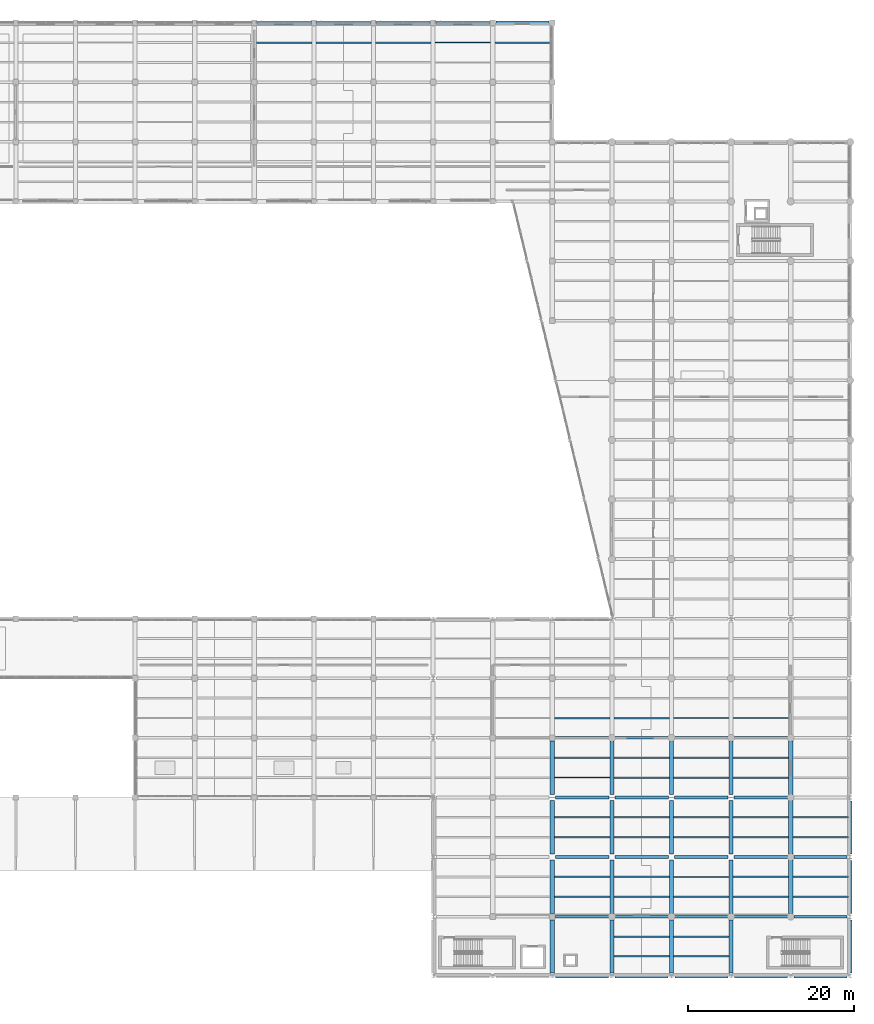
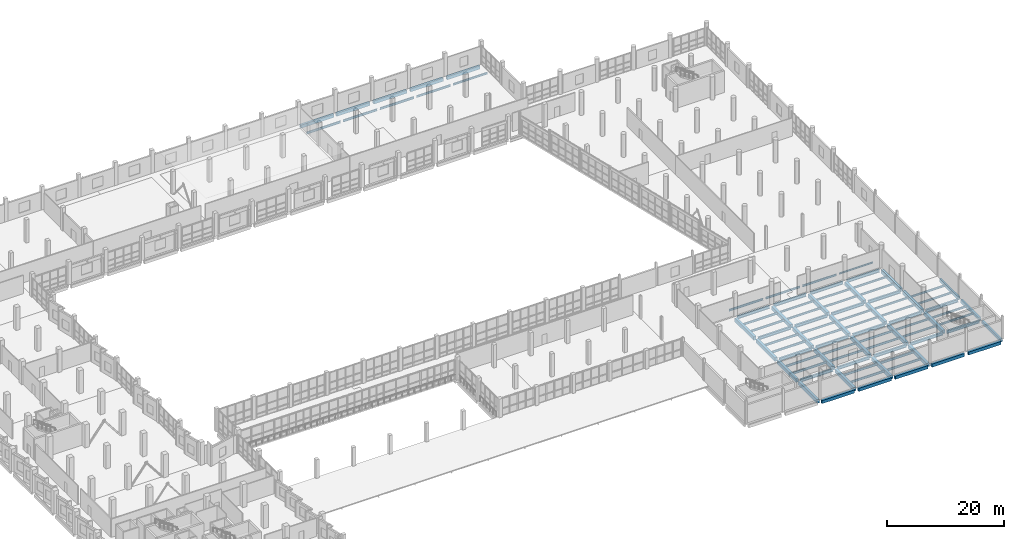
# One storey, part 60 of 127: 91 beams.
"""IFC4 building model written with IfcOpenShell, lengths in metres."""

from ifc_helpers import new_model, si_unit, direction, frame, origin, origin_2d, place, context, subcontext, project, spatial, rectangle, i_section, extrude, material, material_profile, profile_set, type_object, element, save


model = new_model("IFC4")

# Units and contexts
model_context = context("Model", 3, precision=1e-05, world=origin(), true_north=direction((0.0, 1.0)))
body_context = subcontext(model_context, "Body", "Model", "MODEL_VIEW")
ifc_project = project(units=[si_unit("LENGTHUNIT", "METRE"), si_unit("AREAUNIT", "SQUARE_METRE"), si_unit("VOLUMEUNIT", "CUBIC_METRE"), si_unit("PLANEANGLEUNIT", "RADIAN"), si_unit("MASSUNIT", "GRAM", prefix="KILO")], contexts=[model_context])

# Site, building, storey
site_placement = place(None, origin())
site = spatial("IfcSite", under=ifc_project, at=site_placement, CompositionType="ELEMENT")
building_placement = place(site_placement, origin())
building = spatial("IfcBuilding", under=site, at=building_placement, Name="Kalmorath City Hall", CompositionType="ELEMENT")
storey_placement = place(building_placement, frame((0.0, 0.0, 5.39990234375)))
storey = spatial("IfcBuildingStorey", under=building, at=storey_placement, Name="L01", CompositionType="ELEMENT", Elevation=5.39990234375)

# Beams
ifc_material_1 = material(Name="Concrete C40/50", Category="concrete")
ifc_material_profile_1 = material_profile(ifc_material_1, rectangle(XDim=0.39990234375, YDim=0.60009765625, at=origin_2d()), Name="RC-BM-400X600")
ifc_profile_set_1 = profile_set([ifc_material_profile_1], Name="Concrete C40/50")
beam_type_1 = type_object("IfcBeamType", Name="Concrete edge beam 400x600", PredefinedType="SPANDREL", material=ifc_profile_set_1)
beam_1_placement = place(storey_placement, frame((165.60009765625, 0.39990234375, -0.6240234375), z_axis=(0.0, 1.0, 0.0), x_axis=(-1.0, 0.0, 0.0)))
element("IfcBeam", 1, at=beam_1_placement, inside=storey, type_object=beam_type_1, Name="L01 girder CB6 Y24/1-2", PredefinedType="SPANDREL", context=body_context, shape_type="SweptSolid", body=[
    extrude(rectangle(XDim=0.39990234375, YDim=0.60009765625, at=origin_2d()), origin(), (0.0, 0.0, 1.0), 6.400146484375),
])
for number, where, z_axis, x_axis, name in (
    (2, (165.60009765625, 7.60009765625, -0.6240234375), (0.0, 1.0, 0.0), (-1.0, 0.0, 0.0), "L01 girder CB6 Y24/2-3"),
    (3, (165.60009765625, 14.800048828125, -0.6240234375), (0.0, 1.0, 0.0), (-1.0, 0.0, 0.0), "L01 girder CB6 Y24/3-4"),
):
    element("IfcBeam", number, at=place(storey_placement, frame(where, z_axis=z_axis, x_axis=x_axis)), inside=storey, type_object=beam_type_1, Name=name, PredefinedType="SPANDREL", context=body_context, shape_type="SweptSolid", body=[
        extrude(rectangle(XDim=0.39990234375, YDim=0.60009765625, at=origin_2d()), origin(), (0.0, 0.0, 1.0), 6.39990234375),
    ])
ifc_material_2 = material(Name="Concrete C40/50", Category="concrete")
ifc_material_profile_2 = material_profile(ifc_material_2, rectangle(XDim=0.5, YDim=0.75, at=origin_2d()), Name="RC-BM-500X750")
ifc_profile_set_2 = profile_set([ifc_material_profile_2], Name="Concrete C40/50")
beam_type_2 = type_object("IfcBeamType", Name="Concrete floor beam 500x750", PredefinedType="BEAM", material=ifc_profile_set_2)
beam_2_placement = place(storey_placement, frame((129.60009765625, 0.39990234375, -0.698974609375), z_axis=(0.0, 1.0, 0.0), x_axis=(-1.0, 0.0, 0.0)))
element("IfcBeam", 4, at=beam_2_placement, inside=storey, type_object=beam_type_2, Name="L01 girder CB3 Y19/1-2", PredefinedType="BEAM", context=body_context, shape_type="SweptSolid", body=[
    extrude(rectangle(XDim=0.5, YDim=0.75, at=origin_2d()), origin(), (0.0, 0.0, 1.0), 6.425048828125),
])
beam_3_placement = place(storey_placement, frame((129.60009765625, 7.574951171875, -0.698974609375), z_axis=(0.0, 1.0, 0.0), x_axis=(-1.0, 0.0, 0.0)))
element("IfcBeam", 5, at=beam_3_placement, inside=storey, type_object=beam_type_2, Name="L01 girder CB3 Y19/2-3", PredefinedType="BEAM", context=body_context, shape_type="SweptSolid", body=[
    extrude(rectangle(XDim=0.5, YDim=0.75, at=origin_2d()), origin(), (0.0, 0.0, 1.0), 6.449951171875),
])
beam_4_placement = place(storey_placement, frame((129.60009765625, 14.77490234375, -0.698974609375), z_axis=(0.0, 1.0, 0.0), x_axis=(-1.0, 0.0, 0.0)))
element("IfcBeam", 6, at=beam_4_placement, inside=storey, type_object=beam_type_2, Name="L01 girder CB3 Y19/3-4", PredefinedType="BEAM", context=body_context, shape_type="SweptSolid", body=[
    extrude(rectangle(XDim=0.5, YDim=0.75, at=origin_2d()), origin(), (0.0, 0.0, 1.0), 6.4501953125),
])
beam_5_placement = place(storey_placement, frame((129.60009765625, 21.97509765625, -0.698974609375), z_axis=(0.0, 1.0, 0.0), x_axis=(-1.0, 0.0, 0.0)))
element("IfcBeam", 7, at=beam_5_placement, inside=storey, type_object=beam_type_2, Name="L01 girder CB3 Y19/4-5", PredefinedType="BEAM", context=body_context, shape_type="SweptSolid", body=[
    extrude(rectangle(XDim=0.5, YDim=0.75, at=origin_2d()), origin(), (0.0, 0.0, 1.0), 6.449951171875),
])
beam_6_placement = place(storey_placement, frame((136.800048828125, 0.39990234375, -0.698974609375), z_axis=(0.0, 1.0, 0.0), x_axis=(-1.0, 0.0, 0.0)))
element("IfcBeam", 8, at=beam_6_placement, inside=storey, type_object=beam_type_2, Name="L01 girder CB3 Y20/1-2", PredefinedType="BEAM", context=body_context, shape_type="SweptSolid", body=[
    extrude(rectangle(XDim=0.5, YDim=0.75, at=origin_2d()), origin(), (0.0, 0.0, 1.0), 6.425048828125),
])
beam_7_placement = place(storey_placement, frame((136.800048828125, 7.574951171875, -0.698974609375), z_axis=(0.0, 1.0, 0.0), x_axis=(-1.0, 0.0, 0.0)))
element("IfcBeam", 9, at=beam_7_placement, inside=storey, type_object=beam_type_2, Name="L01 girder CB3 Y20/2-3", PredefinedType="BEAM", context=body_context, shape_type="SweptSolid", body=[
    extrude(rectangle(XDim=0.5, YDim=0.75, at=origin_2d()), origin(), (0.0, 0.0, 1.0), 6.449951171875),
])
beam_8_placement = place(storey_placement, frame((136.800048828125, 14.77490234375, -0.698974609375), z_axis=(0.0, 1.0, 0.0), x_axis=(-1.0, 0.0, 0.0)))
element("IfcBeam", 10, at=beam_8_placement, inside=storey, type_object=beam_type_2, Name="L01 girder CB3 Y20/3-4", PredefinedType="BEAM", context=body_context, shape_type="SweptSolid", body=[
    extrude(rectangle(XDim=0.5, YDim=0.75, at=origin_2d()), origin(), (0.0, 0.0, 1.0), 6.4501953125),
])
beam_9_placement = place(storey_placement, frame((136.800048828125, 21.97509765625, -0.698974609375), z_axis=(0.0, 1.0, 0.0), x_axis=(-1.0, 0.0, 0.0)))
element("IfcBeam", 11, at=beam_9_placement, inside=storey, type_object=beam_type_2, Name="L01 girder CB3 Y20/4-5", PredefinedType="BEAM", context=body_context, shape_type="SweptSolid", body=[
    extrude(rectangle(XDim=0.5, YDim=0.75, at=origin_2d()), origin(), (0.0, 0.0, 1.0), 6.449951171875),
])
beam_10_placement = place(storey_placement, frame((144.0, 0.39990234375, -0.698974609375), z_axis=(0.0, 1.0, 0.0), x_axis=(-1.0, 0.0, 0.0)))
element("IfcBeam", 12, at=beam_10_placement, inside=storey, type_object=beam_type_2, Name="L01 girder CB3 Y21/1-2", PredefinedType="BEAM", context=body_context, shape_type="SweptSolid", body=[
    extrude(rectangle(XDim=0.5, YDim=0.75, at=origin_2d()), origin(), (0.0, 0.0, 1.0), 6.425048828125),
])
beam_11_placement = place(storey_placement, frame((144.0, 7.574951171875, -0.698974609375), z_axis=(0.0, 1.0, 0.0), x_axis=(-1.0, 0.0, 0.0)))
element("IfcBeam", 13, at=beam_11_placement, inside=storey, type_object=beam_type_2, Name="L01 girder CB3 Y21/2-3", PredefinedType="BEAM", context=body_context, shape_type="SweptSolid", body=[
    extrude(rectangle(XDim=0.5, YDim=0.75, at=origin_2d()), origin(), (0.0, 0.0, 1.0), 6.449951171875),
])
beam_12_placement = place(storey_placement, frame((144.0, 14.77490234375, -0.698974609375), z_axis=(0.0, 1.0, 0.0), x_axis=(-1.0, 0.0, 0.0)))
element("IfcBeam", 14, at=beam_12_placement, inside=storey, type_object=beam_type_2, Name="L01 girder CB3 Y21/3-4", PredefinedType="BEAM", context=body_context, shape_type="SweptSolid", body=[
    extrude(rectangle(XDim=0.5, YDim=0.75, at=origin_2d()), origin(), (0.0, 0.0, 1.0), 6.4501953125),
])
beam_13_placement = place(storey_placement, frame((144.0, 21.97509765625, -0.698974609375), z_axis=(0.0, 1.0, 0.0), x_axis=(-1.0, 0.0, 0.0)))
element("IfcBeam", 15, at=beam_13_placement, inside=storey, type_object=beam_type_2, Name="L01 girder CB3 Y21/4-5", PredefinedType="BEAM", context=body_context, shape_type="SweptSolid", body=[
    extrude(rectangle(XDim=0.5, YDim=0.75, at=origin_2d()), origin(), (0.0, 0.0, 1.0), 6.449951171875),
])
beam_14_placement = place(storey_placement, frame((151.199951171875, 0.39990234375, -0.698974609375), z_axis=(0.0, 1.0, 0.0), x_axis=(-1.0, 0.0, 0.0)))
element("IfcBeam", 16, at=beam_14_placement, inside=storey, type_object=beam_type_2, Name="L01 girder CB3 Y22/1-2", PredefinedType="BEAM", context=body_context, shape_type="SweptSolid", body=[
    extrude(rectangle(XDim=0.5, YDim=0.75, at=origin_2d()), origin(), (0.0, 0.0, 1.0), 6.425048828125),
])
beam_15_placement = place(storey_placement, frame((151.199951171875, 7.574951171875, -0.698974609375), z_axis=(0.0, 1.0, 0.0), x_axis=(-1.0, 0.0, 0.0)))
element("IfcBeam", 17, at=beam_15_placement, inside=storey, type_object=beam_type_2, Name="L01 girder CB3 Y22/2-3", PredefinedType="BEAM", context=body_context, shape_type="SweptSolid", body=[
    extrude(rectangle(XDim=0.5, YDim=0.75, at=origin_2d()), origin(), (0.0, 0.0, 1.0), 6.449951171875),
])
beam_16_placement = place(storey_placement, frame((151.199951171875, 14.77490234375, -0.698974609375), z_axis=(0.0, 1.0, 0.0), x_axis=(-1.0, 0.0, 0.0)))
element("IfcBeam", 18, at=beam_16_placement, inside=storey, type_object=beam_type_2, Name="L01 girder CB3 Y22/3-4", PredefinedType="BEAM", context=body_context, shape_type="SweptSolid", body=[
    extrude(rectangle(XDim=0.5, YDim=0.75, at=origin_2d()), origin(), (0.0, 0.0, 1.0), 6.4501953125),
])
for number, where, z_axis, x_axis, name in (
    (19, (151.199951171875, 21.97509765625, -0.698974609375), (0.0, 1.0, 0.0), (-1.0, 0.0, 0.0), "L01 girder CB3 Y22/4-5"),
    (20, (158.39990234375, 7.574951171875, -0.698974609375), (0.0, 1.0, 0.0), (-1.0, 0.0, 0.0), "L01 girder CB3 Y23/2-3"),
):
    element("IfcBeam", number, at=place(storey_placement, frame(where, z_axis=z_axis, x_axis=x_axis)), inside=storey, type_object=beam_type_2, Name=name, PredefinedType="BEAM", context=body_context, shape_type="SweptSolid", body=[
        extrude(rectangle(XDim=0.5, YDim=0.75, at=origin_2d()), origin(), (0.0, 0.0, 1.0), 6.449951171875),
    ])
beam_17_placement = place(storey_placement, frame((158.39990234375, 14.77490234375, -0.698974609375), z_axis=(0.0, 1.0, 0.0), x_axis=(-1.0, 0.0, 0.0)))
element("IfcBeam", 21, at=beam_17_placement, inside=storey, type_object=beam_type_2, Name="L01 girder CB3 Y23/3-4", PredefinedType="BEAM", context=body_context, shape_type="SweptSolid", body=[
    extrude(rectangle(XDim=0.5, YDim=0.75, at=origin_2d()), origin(), (0.0, 0.0, 1.0), 6.4501953125),
])
beam_18_placement = place(storey_placement, frame((158.39990234375, 21.97509765625, -0.698974609375), z_axis=(0.0, 1.0, 0.0), x_axis=(-1.0, 0.0, 0.0)))
element("IfcBeam", 22, at=beam_18_placement, inside=storey, type_object=beam_type_2, Name="L01 girder CB3 Y23/4-5", PredefinedType="BEAM", context=body_context, shape_type="SweptSolid", body=[
    extrude(rectangle(XDim=0.5, YDim=0.75, at=origin_2d()), origin(), (0.0, 0.0, 1.0), 6.449951171875),
])
ifc_material_3 = material(Name="Concrete C40/50", Category="concrete")
ifc_material_profile_3 = material_profile(ifc_material_3, rectangle(XDim=0.449951171875, YDim=0.64990234375, at=origin_2d()), Name="RC-BM-450X650")
ifc_profile_set_3 = profile_set([ifc_material_profile_3], Name="Concrete C40/50")
beam_type_3 = type_object("IfcBeamType", Name="Concrete spandrel beam 450x650", PredefinedType="SPANDREL", material=ifc_profile_set_3)
beam_19_placement = place(storey_placement, frame((130.0, 0.0, -0.64892578125), z_axis=(1.0, 0.0, 0.0), x_axis=(0.0, 1.0, 0.0)))
element("IfcBeam", 23, at=beam_19_placement, inside=storey, type_object=beam_type_3, Name="L01 girder CB5 X19-20/1", PredefinedType="SPANDREL", context=body_context, shape_type="SweptSolid", body=[
    extrude(rectangle(XDim=0.449951171875, YDim=0.64990234375, at=origin_2d()), origin(), (0.0, 0.0, 1.0), 6.39990234375),
])
for number, where, z_axis, x_axis, name in (
    (24, (137.199951171875, 0.0, -0.64892578125), (1.0, 0.0, 0.0), (0.0, 1.0, 0.0), "L01 girder CB5 X20-21/1"),
    (25, (144.39990234375, 0.0, -0.64892578125), (1.0, 0.0, 0.0), (0.0, 1.0, 0.0), "L01 girder CB5 X21-22/1"),
):
    element("IfcBeam", number, at=place(storey_placement, frame(where, z_axis=z_axis, x_axis=x_axis)), inside=storey, type_object=beam_type_3, Name=name, PredefinedType="SPANDREL", context=body_context, shape_type="SweptSolid", body=[
        extrude(rectangle(XDim=0.449951171875, YDim=0.64990234375, at=origin_2d()), origin(), (0.0, 0.0, 1.0), 6.400146484375),
    ])
for number, where, z_axis, x_axis, name in (
    (26, (151.60009765625, 0.0, -0.64892578125), (1.0, 0.0, 0.0), (0.0, 1.0, 0.0), "L01 girder CB5 X22-23/1"),
    (27, (158.800048828125, 0.0, -0.64892578125), (1.0, 0.0, 0.0), (0.0, 1.0, 0.0), "L01 girder CB5 X23-24/1"),
):
    element("IfcBeam", number, at=place(storey_placement, frame(where, z_axis=z_axis, x_axis=x_axis)), inside=storey, type_object=beam_type_3, Name=name, PredefinedType="SPANDREL", context=body_context, shape_type="SweptSolid", body=[
        extrude(rectangle(XDim=0.449951171875, YDim=0.64990234375, at=origin_2d()), origin(), (0.0, 0.0, 1.0), 6.39990234375),
    ])
for number, where, z_axis, x_axis, name in (
    (28, (93.97509765625, 115.199951171875, -0.64892578125), (1.0, 0.0, 0.0), (0.0, 1.0, 0.0), "L01 girder CB5 X14-15/17"),
    (29, (101.050048828125, 115.199951171875, -0.64892578125), (1.0, 0.0, 0.0), (0.0, 1.0, 0.0), "L01 girder CB5 X15-16/17"),
):
    element("IfcBeam", number, at=place(storey_placement, frame(where, z_axis=z_axis, x_axis=x_axis)), inside=storey, type_object=beam_type_3, Name=name, PredefinedType="SPANDREL", context=body_context, shape_type="SweptSolid", body=[
        extrude(rectangle(XDim=0.449951171875, YDim=0.64990234375, at=origin_2d()), origin(), (0.0, 0.0, 1.0), 6.574951171875),
    ])
for number, where, z_axis, x_axis, name in (
    (30, (108.375, 115.199951171875, -0.64892578125), (1.0, 0.0, 0.0), (0.0, 1.0, 0.0), "L01 girder CB5 X16-17/17"),
    (31, (115.574951171875, 115.199951171875, -0.64892578125), (1.0, 0.0, 0.0), (0.0, 1.0, 0.0), "L01 girder CB5 X17-18/17"),
):
    element("IfcBeam", number, at=place(storey_placement, frame(where, z_axis=z_axis, x_axis=x_axis)), inside=storey, type_object=beam_type_3, Name=name, PredefinedType="SPANDREL", context=body_context, shape_type="SweptSolid", body=[
        extrude(rectangle(XDim=0.449951171875, YDim=0.64990234375, at=origin_2d()), origin(), (0.0, 0.0, 1.0), 6.449951171875),
    ])
beam_20_placement = place(storey_placement, frame((122.77490234375, 115.199951171875, -0.64892578125), z_axis=(1.0, 0.0, 0.0), x_axis=(0.0, 1.0, 0.0)))
element("IfcBeam", 32, at=beam_20_placement, inside=storey, type_object=beam_type_3, Name="L01 girder CB5 X18-19/17", PredefinedType="SPANDREL", context=body_context, shape_type="SweptSolid", body=[
    extrude(rectangle(XDim=0.449951171875, YDim=0.64990234375, at=origin_2d()), origin(), (0.0, 0.0, 1.0), 6.4501953125),
])
ifc_material_4 = material(Name="Steel ASTM A992 Grade 50", Category="steel")
ifc_material_profile_4 = material_profile(ifc_material_4, i_section(OverallWidth=0.177001953125, OverallDepth=0.403076171875, WebThickness=0.007568359375, FlangeThickness=0.010986328125, FilletRadius=0.012939453125, at=origin_2d()), Name="W16X36")
ifc_profile_set_4 = profile_set([ifc_material_profile_4], Name="Steel ASTM A992 Grade 50")
beam_type_4 = type_object("IfcBeamType", Name="Steel composite joist W16X36", PredefinedType="JOIST", material=ifc_profile_set_4)
for number, where, z_axis, x_axis, name in (
    (33, (144.25, 31.199951171875, -0.525390625), (1.0, 0.0, 0.0), (0.0, 1.0, 0.0), "L01 joist SJ7 21.5.1"),
    (34, (151.449951171875, 24.0, -0.525390625), (1.0, 0.0, 0.0), (0.0, 1.0, 0.0), "L01 joist SJ7 22.4.1"),
    (35, (151.449951171875, 26.39990234375, -0.525390625), (1.0, 0.0, 0.0), (0.0, 1.0, 0.0), "L01 joist SJ7 22.4.2"),
):
    element("IfcBeam", number, at=place(storey_placement, frame(where, z_axis=z_axis, x_axis=x_axis)), inside=storey, type_object=beam_type_4, Name=name, PredefinedType="JOIST", context=body_context, shape_type="SweptSolid", body=[
        extrude(i_section(OverallWidth=0.177001953125, OverallDepth=0.403076171875, WebThickness=0.007568359375, FlangeThickness=0.010986328125, FilletRadius=0.012939453125, at=origin_2d()), origin(), (0.0, 0.0, 1.0), 6.699951171875),
    ])
for number, where, z_axis, x_axis, name in (
    (36, (158.64990234375, 16.800048828125, -0.525390625), (1.0, 0.0, 0.0), (0.0, 1.0, 0.0), "L01 joist SJ7 23.3.1"),
    (37, (158.64990234375, 19.199951171875, -0.525390625), (1.0, 0.0, 0.0), (0.0, 1.0, 0.0), "L01 joist SJ7 23.3.2"),
):
    element("IfcBeam", number, at=place(storey_placement, frame(where, z_axis=z_axis, x_axis=x_axis)), inside=storey, type_object=beam_type_4, Name=name, PredefinedType="JOIST", context=body_context, shape_type="SweptSolid", body=[
        extrude(i_section(OverallWidth=0.177001953125, OverallDepth=0.403076171875, WebThickness=0.007568359375, FlangeThickness=0.010986328125, FilletRadius=0.012939453125, at=origin_2d()), origin(), (0.0, 0.0, 1.0), 6.75),
    ])
ifc_material_5 = material(Name="Steel ASTM A992 Grade 50", Category="steel")
ifc_material_profile_5 = material_profile(ifc_material_5, i_section(OverallWidth=0.178955078125, OverallDepth=0.409912109375, WebThickness=0.0087890625, FlangeThickness=0.014404296875, FilletRadius=0.012939453125, at=origin_2d()), Name="W16X45")
ifc_profile_set_5 = profile_set([ifc_material_profile_5], Name="Steel ASTM A992 Grade 50")
beam_type_5 = type_object("IfcBeamType", Name="Steel composite joist W16X45", PredefinedType="JOIST", material=ifc_profile_set_5)
for number, where, z_axis, x_axis, name in (
    (38, (137.050048828125, 31.199951171875, -0.52880859375), (1.0, 0.0, 0.0), (0.0, 1.0, 0.0), "L01 joist SJ6 20.5.1"),
    (39, (144.25, 24.0, -0.52880859375), (1.0, 0.0, 0.0), (0.0, 1.0, 0.0), "L01 joist SJ6 21.4.1"),
    (40, (144.25, 26.39990234375, -0.52880859375), (1.0, 0.0, 0.0), (0.0, 1.0, 0.0), "L01 joist SJ6 21.4.2"),
    (41, (151.449951171875, 16.800048828125, -0.52880859375), (1.0, 0.0, 0.0), (0.0, 1.0, 0.0), "L01 joist SJ6 22.3.1"),
    (42, (151.449951171875, 19.199951171875, -0.52880859375), (1.0, 0.0, 0.0), (0.0, 1.0, 0.0), "L01 joist SJ6 22.3.2"),
):
    element("IfcBeam", number, at=place(storey_placement, frame(where, z_axis=z_axis, x_axis=x_axis)), inside=storey, type_object=beam_type_5, Name=name, PredefinedType="JOIST", context=body_context, shape_type="SweptSolid", body=[
        extrude(i_section(OverallWidth=0.178955078125, OverallDepth=0.409912109375, WebThickness=0.0087890625, FlangeThickness=0.014404296875, FilletRadius=0.012939453125, at=origin_2d()), origin(), (0.0, 0.0, 1.0), 6.699951171875),
    ])
for number, where, z_axis, x_axis, name in (
    (43, (158.64990234375, 9.60009765625, -0.52880859375), (1.0, 0.0, 0.0), (0.0, 1.0, 0.0), "L01 joist SJ6 23.2.1"),
    (44, (158.64990234375, 12.0, -0.52880859375), (1.0, 0.0, 0.0), (0.0, 1.0, 0.0), "L01 joist SJ6 23.2.2"),
):
    element("IfcBeam", number, at=place(storey_placement, frame(where, z_axis=z_axis, x_axis=x_axis)), inside=storey, type_object=beam_type_5, Name=name, PredefinedType="JOIST", context=body_context, shape_type="SweptSolid", body=[
        extrude(i_section(OverallWidth=0.178955078125, OverallDepth=0.409912109375, WebThickness=0.0087890625, FlangeThickness=0.014404296875, FilletRadius=0.012939453125, at=origin_2d()), origin(), (0.0, 0.0, 1.0), 6.75),
    ])
ifc_material_6 = material(Name="Steel ASTM A992 Grade 50", Category="steel")
ifc_material_profile_6 = material_profile(ifc_material_6, i_section(OverallWidth=0.180908203125, OverallDepth=0.4169921875, WebThickness=0.010986328125, FlangeThickness=0.018310546875, FilletRadius=0.012939453125, at=origin_2d()), Name="W16X57")
ifc_profile_set_6 = profile_set([ifc_material_profile_6], Name="Steel ASTM A992 Grade 50")
beam_type_6 = type_object("IfcBeamType", Name="Steel composite joist W16X57", PredefinedType="JOIST", material=ifc_profile_set_6)
beam_21_placement = place(storey_placement, frame((122.64990234375, 112.800048828125, -0.532470703125), z_axis=(1.0, 0.0, 0.0), x_axis=(0.0, 1.0, 0.0)))
element("IfcBeam", 45, at=beam_21_placement, inside=storey, type_object=beam_type_6, Name="L01 joist SJ5 18.16.2", PredefinedType="JOIST", context=body_context, shape_type="SweptSolid", body=[
    extrude(i_section(OverallWidth=0.180908203125, OverallDepth=0.4169921875, WebThickness=0.010986328125, FlangeThickness=0.018310546875, FilletRadius=0.012939453125, at=origin_2d()), origin(), (0.0, 0.0, 1.0), 6.75),
])
for number, where, z_axis, x_axis, name in (
    (46, (129.85009765625, 31.199951171875, -0.532470703125), (1.0, 0.0, 0.0), (0.0, 1.0, 0.0), "L01 joist SJ5 19.5.1"),
    (47, (137.050048828125, 24.0, -0.532470703125), (1.0, 0.0, 0.0), (0.0, 1.0, 0.0), "L01 joist SJ5 20.4.1"),
    (48, (137.050048828125, 26.39990234375, -0.532470703125), (1.0, 0.0, 0.0), (0.0, 1.0, 0.0), "L01 joist SJ5 20.4.2"),
    (49, (144.25, 16.800048828125, -0.532470703125), (1.0, 0.0, 0.0), (0.0, 1.0, 0.0), "L01 joist SJ5 21.3.1"),
    (50, (144.25, 19.199951171875, -0.532470703125), (1.0, 0.0, 0.0), (0.0, 1.0, 0.0), "L01 joist SJ5 21.3.2"),
    (51, (151.449951171875, 9.60009765625, -0.532470703125), (1.0, 0.0, 0.0), (0.0, 1.0, 0.0), "L01 joist SJ5 22.2.1"),
    (52, (151.449951171875, 12.0, -0.532470703125), (1.0, 0.0, 0.0), (0.0, 1.0, 0.0), "L01 joist SJ5 22.2.2"),
):
    element("IfcBeam", number, at=place(storey_placement, frame(where, z_axis=z_axis, x_axis=x_axis)), inside=storey, type_object=beam_type_6, Name=name, PredefinedType="JOIST", context=body_context, shape_type="SweptSolid", body=[
        extrude(i_section(OverallWidth=0.180908203125, OverallDepth=0.4169921875, WebThickness=0.010986328125, FlangeThickness=0.018310546875, FilletRadius=0.012939453125, at=origin_2d()), origin(), (0.0, 0.0, 1.0), 6.699951171875),
    ])
ifc_material_7 = material(Name="Steel ASTM A992 Grade 50", Category="steel")
ifc_material_profile_7 = material_profile(ifc_material_7, i_section(OverallWidth=0.153076171875, OverallDepth=0.455078125, WebThickness=0.008056640625, FlangeThickness=0.01318359375, FilletRadius=0.013916015625, at=origin_2d()), Name="W18X40")
ifc_profile_set_7 = profile_set([ifc_material_profile_7], Name="Steel ASTM A992 Grade 50")
beam_type_7 = type_object("IfcBeamType", Name="Steel composite joist W18X40", PredefinedType="JOIST", material=ifc_profile_set_7)
for number, where, z_axis, x_axis, name in (
    (53, (115.449951171875, 112.800048828125, -0.551513671875), (1.0, 0.0, 0.0), (0.0, 1.0, 0.0), "L01 joist SJ4 17.16.2"),
    (54, (129.85009765625, 24.0, -0.551513671875), (1.0, 0.0, 0.0), (0.0, 1.0, 0.0), "L01 joist SJ4 19.4.1"),
    (55, (129.85009765625, 26.39990234375, -0.551513671875), (1.0, 0.0, 0.0), (0.0, 1.0, 0.0), "L01 joist SJ4 19.4.2"),
    (56, (137.050048828125, 16.800048828125, -0.551513671875), (1.0, 0.0, 0.0), (0.0, 1.0, 0.0), "L01 joist SJ4 20.3.1"),
    (57, (137.050048828125, 19.199951171875, -0.551513671875), (1.0, 0.0, 0.0), (0.0, 1.0, 0.0), "L01 joist SJ4 20.3.2"),
    (58, (144.25, 9.60009765625, -0.551513671875), (1.0, 0.0, 0.0), (0.0, 1.0, 0.0), "L01 joist SJ4 21.2.1"),
    (59, (144.25, 12.0, -0.551513671875), (1.0, 0.0, 0.0), (0.0, 1.0, 0.0), "L01 joist SJ4 21.2.2"),
):
    element("IfcBeam", number, at=place(storey_placement, frame(where, z_axis=z_axis, x_axis=x_axis)), inside=storey, type_object=beam_type_7, Name=name, PredefinedType="JOIST", context=body_context, shape_type="SweptSolid", body=[
        extrude(i_section(OverallWidth=0.153076171875, OverallDepth=0.455078125, WebThickness=0.008056640625, FlangeThickness=0.01318359375, FilletRadius=0.013916015625, at=origin_2d()), origin(), (0.0, 0.0, 1.0), 6.699951171875),
    ])
ifc_material_8 = material(Name="Steel ASTM A992 Grade 50", Category="steel")
ifc_material_profile_8 = material_profile(ifc_material_8, i_section(OverallWidth=0.19091796875, OverallDepth=0.45703125, WebThickness=0.009033203125, FlangeThickness=0.014404296875, FilletRadius=0.013916015625, at=origin_2d()), Name="W18X50")
ifc_profile_set_8 = profile_set([ifc_material_profile_8], Name="Steel ASTM A992 Grade 50")
beam_type_8 = type_object("IfcBeamType", Name="Steel composite joist W18X50", PredefinedType="JOIST", material=ifc_profile_set_8)
for number, where, z_axis, x_axis, name in (
    (60, (108.25, 112.800048828125, -0.552490234375), (1.0, 0.0, 0.0), (0.0, 1.0, 0.0), "L01 joist SJ3 16.16.2"),
    (61, (129.85009765625, 16.800048828125, -0.552490234375), (1.0, 0.0, 0.0), (0.0, 1.0, 0.0), "L01 joist SJ3 19.3.1"),
    (62, (129.85009765625, 19.199951171875, -0.552490234375), (1.0, 0.0, 0.0), (0.0, 1.0, 0.0), "L01 joist SJ3 19.3.2"),
    (63, (137.050048828125, 9.60009765625, -0.552490234375), (1.0, 0.0, 0.0), (0.0, 1.0, 0.0), "L01 joist SJ3 20.2.1"),
    (64, (137.050048828125, 12.0, -0.552490234375), (1.0, 0.0, 0.0), (0.0, 1.0, 0.0), "L01 joist SJ3 20.2.2"),
    (65, (144.25, 2.39990234375, -0.552490234375), (1.0, 0.0, 0.0), (0.0, 1.0, 0.0), "L01 joist SJ3 21.1.1"),
    (66, (144.25, 4.800048828125, -0.552490234375), (1.0, 0.0, 0.0), (0.0, 1.0, 0.0), "L01 joist SJ3 21.1.2"),
):
    element("IfcBeam", number, at=place(storey_placement, frame(where, z_axis=z_axis, x_axis=x_axis)), inside=storey, type_object=beam_type_8, Name=name, PredefinedType="JOIST", context=body_context, shape_type="SweptSolid", body=[
        extrude(i_section(OverallWidth=0.19091796875, OverallDepth=0.45703125, WebThickness=0.009033203125, FlangeThickness=0.014404296875, FilletRadius=0.013916015625, at=origin_2d()), origin(), (0.0, 0.0, 1.0), 6.699951171875),
    ])
ifc_material_9 = material(Name="Steel ASTM A992 Grade 50", Category="steel")
ifc_material_profile_9 = material_profile(ifc_material_9, i_section(OverallWidth=0.19091796875, OverallDepth=0.4599609375, WebThickness=0.010009765625, FlangeThickness=0.01611328125, FilletRadius=0.013916015625, at=origin_2d()), Name="W18X55")
ifc_profile_set_9 = profile_set([ifc_material_profile_9], Name="Steel ASTM A992 Grade 50")
beam_type_9 = type_object("IfcBeamType", Name="Steel composite joist W18X55", PredefinedType="JOIST", material=ifc_profile_set_9)
for number, where, z_axis, x_axis, name in (
    (67, (101.050048828125, 112.800048828125, -0.553955078125), (1.0, 0.0, 0.0), (0.0, 1.0, 0.0), "L01 joist SJ2 15.16.2"),
    (68, (129.85009765625, 9.60009765625, -0.553955078125), (1.0, 0.0, 0.0), (0.0, 1.0, 0.0), "L01 joist SJ2 19.2.1"),
    (69, (129.85009765625, 12.0, -0.553955078125), (1.0, 0.0, 0.0), (0.0, 1.0, 0.0), "L01 joist SJ2 19.2.2"),
    (70, (137.050048828125, 2.39990234375, -0.553955078125), (1.0, 0.0, 0.0), (0.0, 1.0, 0.0), "L01 joist SJ2 20.1.1"),
    (71, (137.050048828125, 4.800048828125, -0.553955078125), (1.0, 0.0, 0.0), (0.0, 1.0, 0.0), "L01 joist SJ2 20.1.2"),
):
    element("IfcBeam", number, at=place(storey_placement, frame(where, z_axis=z_axis, x_axis=x_axis)), inside=storey, type_object=beam_type_9, Name=name, PredefinedType="JOIST", context=body_context, shape_type="SweptSolid", body=[
        extrude(i_section(OverallWidth=0.19091796875, OverallDepth=0.4599609375, WebThickness=0.010009765625, FlangeThickness=0.01611328125, FilletRadius=0.013916015625, at=origin_2d()), origin(), (0.0, 0.0, 1.0), 6.699951171875),
    ])
ifc_material_10 = material(Name="Steel ASTM A992 Grade 50", Category="steel")
ifc_material_profile_10 = material_profile(ifc_material_10, i_section(OverallWidth=0.193115234375, OverallDepth=0.466064453125, WebThickness=0.011474609375, FlangeThickness=0.01904296875, FilletRadius=0.013916015625, at=origin_2d()), Name="W18X65")
ifc_profile_set_10 = profile_set([ifc_material_profile_10], Name="Steel ASTM A992 Grade 50")
beam_type_10 = type_object("IfcBeamType", Name="Steel composite joist W18X65", PredefinedType="JOIST", material=ifc_profile_set_10)
beam_22_placement = place(storey_placement, frame((93.85009765625, 112.800048828125, -0.556884765625), z_axis=(1.0, 0.0, 0.0), x_axis=(0.0, 1.0, 0.0)))
element("IfcBeam", 72, at=beam_22_placement, inside=storey, type_object=beam_type_10, Name="L01 joist SJ1 14.16.2", PredefinedType="JOIST", context=body_context, shape_type="SweptSolid", body=[
    extrude(i_section(OverallWidth=0.193115234375, OverallDepth=0.466064453125, WebThickness=0.011474609375, FlangeThickness=0.01904296875, FilletRadius=0.013916015625, at=origin_2d()), origin(), (0.0, 0.0, 1.0), 6.699951171875),
])
ifc_material_11 = material(Name="Steel ASTM A992 Grade 50", Category="steel")
ifc_material_profile_11 = material_profile(ifc_material_11, i_section(OverallWidth=0.323974609375, OverallDepth=0.611083984375, WebThickness=0.0126953125, FlangeThickness=0.01904296875, FilletRadius=0.01611328125, at=origin_2d()), Name="W24X104")
ifc_profile_set_11 = profile_set([ifc_material_profile_11], Name="Steel ASTM A992 Grade 50")
beam_type_11 = type_object("IfcBeamType", Name="Steel floor girder W24X104", PredefinedType="BEAM", material=ifc_profile_set_11)
for number, where, z_axis, x_axis, name in (
    (73, (129.97509765625, 7.199951171875, -0.62939453125), (1.0, 0.0, 0.0), (0.0, 1.0, 0.0), "L01 girder SG7 X19-20/2"),
    (74, (137.175048828125, 7.199951171875, -0.62939453125), (1.0, 0.0, 0.0), (0.0, 1.0, 0.0), "L01 girder SG7 X20-21/2"),
    (75, (144.375, 7.199951171875, -0.62939453125), (1.0, 0.0, 0.0), (0.0, 1.0, 0.0), "L01 girder SG7 X21-22/2"),
    (76, (151.574951171875, 7.199951171875, -0.62939453125), (1.0, 0.0, 0.0), (0.0, 1.0, 0.0), "L01 girder SG7 X22-23/2"),
):
    element("IfcBeam", number, at=place(storey_placement, frame(where, z_axis=z_axis, x_axis=x_axis)), inside=storey, type_object=beam_type_11, Name=name, PredefinedType="BEAM", context=body_context, shape_type="SweptSolid", body=[
        extrude(i_section(OverallWidth=0.323974609375, OverallDepth=0.611083984375, WebThickness=0.0126953125, FlangeThickness=0.01904296875, FilletRadius=0.01611328125, at=origin_2d()), origin(), (0.0, 0.0, 1.0), 6.449951171875),
    ])
beam_23_placement = place(storey_placement, frame((158.77490234375, 7.199951171875, -0.62939453125), z_axis=(1.0, 0.0, 0.0), x_axis=(0.0, 1.0, 0.0)))
element("IfcBeam", 77, at=beam_23_placement, inside=storey, type_object=beam_type_11, Name="L01 girder SG7 X23-24/2", PredefinedType="BEAM", context=body_context, shape_type="SweptSolid", body=[
    extrude(i_section(OverallWidth=0.323974609375, OverallDepth=0.611083984375, WebThickness=0.0126953125, FlangeThickness=0.01904296875, FilletRadius=0.01611328125, at=origin_2d()), origin(), (0.0, 0.0, 1.0), 6.425048828125),
])
for number, where, z_axis, x_axis, name in (
    (78, (129.97509765625, 14.39990234375, -0.62939453125), (1.0, 0.0, 0.0), (0.0, 1.0, 0.0), "L01 girder SG7 X19-20/3"),
    (79, (137.175048828125, 14.39990234375, -0.62939453125), (1.0, 0.0, 0.0), (0.0, 1.0, 0.0), "L01 girder SG7 X20-21/3"),
    (80, (144.375, 14.39990234375, -0.62939453125), (1.0, 0.0, 0.0), (0.0, 1.0, 0.0), "L01 girder SG7 X21-22/3"),
    (81, (151.574951171875, 14.39990234375, -0.62939453125), (1.0, 0.0, 0.0), (0.0, 1.0, 0.0), "L01 girder SG7 X22-23/3"),
):
    element("IfcBeam", number, at=place(storey_placement, frame(where, z_axis=z_axis, x_axis=x_axis)), inside=storey, type_object=beam_type_11, Name=name, PredefinedType="BEAM", context=body_context, shape_type="SweptSolid", body=[
        extrude(i_section(OverallWidth=0.323974609375, OverallDepth=0.611083984375, WebThickness=0.0126953125, FlangeThickness=0.01904296875, FilletRadius=0.01611328125, at=origin_2d()), origin(), (0.0, 0.0, 1.0), 6.449951171875),
    ])
beam_24_placement = place(storey_placement, frame((158.77490234375, 14.39990234375, -0.62939453125), z_axis=(1.0, 0.0, 0.0), x_axis=(0.0, 1.0, 0.0)))
element("IfcBeam", 82, at=beam_24_placement, inside=storey, type_object=beam_type_11, Name="L01 girder SG7 X23-24/3", PredefinedType="BEAM", context=body_context, shape_type="SweptSolid", body=[
    extrude(i_section(OverallWidth=0.323974609375, OverallDepth=0.611083984375, WebThickness=0.0126953125, FlangeThickness=0.01904296875, FilletRadius=0.01611328125, at=origin_2d()), origin(), (0.0, 0.0, 1.0), 6.425048828125),
])
for number, where, z_axis, x_axis, name in (
    (83, (129.97509765625, 21.60009765625, -0.62939453125), (1.0, 0.0, 0.0), (0.0, 1.0, 0.0), "L01 girder SG7 X19-20/4"),
    (84, (137.175048828125, 21.60009765625, -0.62939453125), (1.0, 0.0, 0.0), (0.0, 1.0, 0.0), "L01 girder SG7 X20-21/4"),
    (85, (144.375, 21.60009765625, -0.62939453125), (1.0, 0.0, 0.0), (0.0, 1.0, 0.0), "L01 girder SG7 X21-22/4"),
    (86, (151.574951171875, 21.60009765625, -0.62939453125), (1.0, 0.0, 0.0), (0.0, 1.0, 0.0), "L01 girder SG7 X22-23/4"),
    (87, (129.97509765625, 28.800048828125, -0.62939453125), (1.0, 0.0, 0.0), (0.0, 1.0, 0.0), "L01 girder SG7 X19-20/5"),
    (88, (137.175048828125, 28.800048828125, -0.62939453125), (1.0, 0.0, 0.0), (0.0, 1.0, 0.0), "L01 girder SG7 X20-21/5"),
    (89, (144.375, 28.800048828125, -0.62939453125), (1.0, 0.0, 0.0), (0.0, 1.0, 0.0), "L01 girder SG7 X21-22/5"),
    (90, (151.574951171875, 28.800048828125, -0.62939453125), (1.0, 0.0, 0.0), (0.0, 1.0, 0.0), "L01 girder SG7 X22-23/5"),
):
    element("IfcBeam", number, at=place(storey_placement, frame(where, z_axis=z_axis, x_axis=x_axis)), inside=storey, type_object=beam_type_11, Name=name, PredefinedType="BEAM", context=body_context, shape_type="SweptSolid", body=[
        extrude(i_section(OverallWidth=0.323974609375, OverallDepth=0.611083984375, WebThickness=0.0126953125, FlangeThickness=0.01904296875, FilletRadius=0.01611328125, at=origin_2d()), origin(), (0.0, 0.0, 1.0), 6.449951171875),
    ])
ifc_material_12 = material(Name="Steel ASTM A992 Grade 50", Category="steel")
ifc_material_profile_12 = material_profile(ifc_material_12, i_section(OverallWidth=0.1669921875, OverallDepth=0.318115234375, WebThickness=0.007568359375, FlangeThickness=0.01318359375, FilletRadius=0.012939453125, at=origin_2d()), Name="W12X35")
ifc_profile_set_12 = profile_set([ifc_material_profile_12], Name="Steel ASTM A992 Grade 50")
beam_type_12 = type_object("IfcBeamType", Name="Steel header lintel W12X35", PredefinedType="LINTEL", material=ifc_profile_set_12)
beam_25_placement = place(storey_placement, frame((151.449951171875, 31.199951171875, -0.48291015625), z_axis=(1.0, 0.0, 0.0), x_axis=(0.0, 1.0, 0.0)))
element("IfcBeam", 91, at=beam_25_placement, inside=storey, type_object=beam_type_12, Name="L01 joist SJ13 22.5.1", PredefinedType="LINTEL", context=body_context, shape_type="SweptSolid", body=[
    extrude(i_section(OverallWidth=0.1669921875, OverallDepth=0.318115234375, WebThickness=0.007568359375, FlangeThickness=0.01318359375, FilletRadius=0.012939453125, at=origin_2d()), origin(), (0.0, 0.0, 1.0), 6.699951171875),
])

save(model, "model.ifc")
